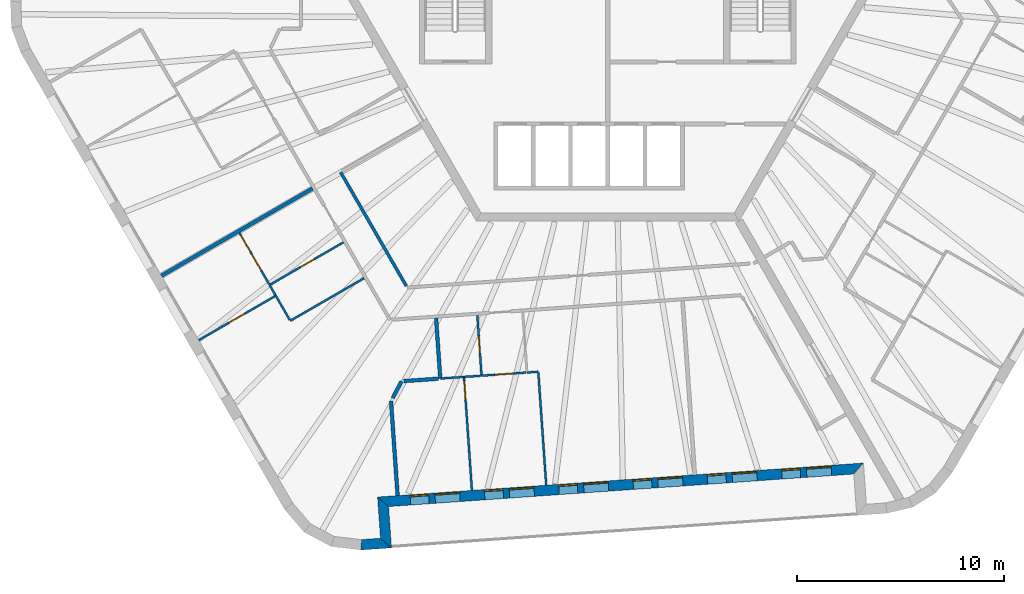
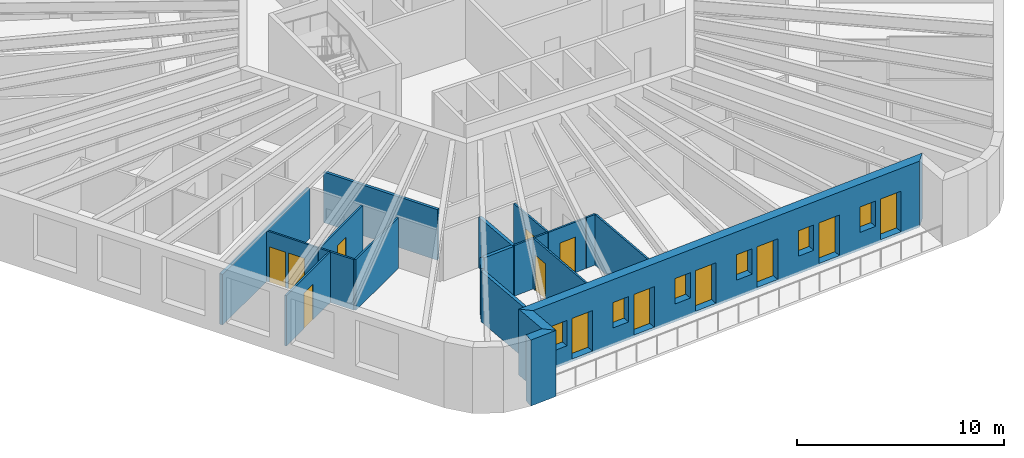
# One storey, part 3 of 12: 22 walls, 13 doors, 6 windows, 19 openings.
"""IFC4 building model written with IfcOpenShell, lengths in metres."""

from ifc_helpers import new_model, si_unit, direction, frame, frame_2d, origin, place, context, subcontext, project, spatial, polyline, rectangle, outline, extrude, material, layer, layer_set, type_object, element, fill, save


model = new_model("IFC4")

# Units and contexts
model_context = context("Model", 3, precision=1e-05, world=origin(), true_north=direction((0.0, 1.0)))
body_context = subcontext(model_context, "Body", "Model", "MODEL_VIEW")
ifc_project = project(units=[si_unit("LENGTHUNIT", "METRE"), si_unit("AREAUNIT", "SQUARE_METRE"), si_unit("VOLUMEUNIT", "CUBIC_METRE"), si_unit("PLANEANGLEUNIT", "RADIAN"), si_unit("MASSUNIT", "GRAM", prefix="KILO")], contexts=[model_context])

# Site, building, storey
site_placement = place(None, origin())
site = spatial("IfcSite", under=ifc_project, at=site_placement, CompositionType="ELEMENT")
building_placement = place(site_placement, origin())
building = spatial("IfcBuilding", under=site, at=building_placement, Name="Tarnside Tower", CompositionType="ELEMENT")
storey_placement = place(building_placement, frame((0.0, 0.0, 295.199951171875)))
storey = spatial("IfcBuildingStorey", under=building, at=storey_placement, Name="L71", CompositionType="ELEMENT", Elevation=295.199951171875)

# Walls
ifc_material_1 = material(Name="Gypsum board partition on steel studs", Category="steel")
ifc_layer_1 = layer(ifc_material_1, 0.10009765625)
ifc_layer_set_1 = layer_set([ifc_layer_1], Name="Bathroom wall 100")
wall_type_1 = type_object("IfcWallType", Name="Bathroom wall 100", PredefinedType="PARTITIONING", material=ifc_layer_set_1)
wall_1_placement = place(storey_placement, frame((-11.77490234375, -13.755126953125, 0.0), z_axis=(0.0, 0.0, 1.0), x_axis=(-0.866034795751, -0.499983732284, 0.0)))
element("IfcWall", 1, at=wall_1_placement, inside=storey, type_object=wall_type_1, Name="Bathroom wall 23120", PredefinedType="PARTITIONING", context=body_context, shape_type="SweptSolid", body=[
    extrude(rectangle(XDim=4.125244140625, YDim=0.10009765625, at=frame_2d((2.0625, 0.0))), origin(), (0.0, 0.0, 1.0), 2.98779296875),
])
wall_2_placement = place(storey_placement, frame((-15.372314453125, -15.7744140625, 0.0), z_axis=(0.0, 0.0, 1.0), x_axis=(-0.500003806764, 0.866023205937, 0.0)))
element("IfcWall", 2, at=wall_2_placement, inside=storey, type_object=wall_type_1, Name="Bathroom wall 23121", PredefinedType="PARTITIONING", context=body_context, shape_type="SweptSolid", body=[
    extrude(rectangle(XDim=1.35205078125, YDim=0.10009765625, at=frame_2d((0.676025390625, 0.0))), origin(), (0.0, 0.0, 1.0), 2.98779296875),
])

# Wall, opening, door
wall_3_placement = place(storey_placement, frame((-16.347412109375, -14.08544921875, 0.0), z_axis=(0.0, 0.0, 1.0), x_axis=(0.866034795751, 0.499983732284, 0.0)))
wall_3 = element("IfcWall", 3, at=wall_3_placement, inside=storey, type_object=wall_type_1, Name="Bathroom wall 23127", PredefinedType="PARTITIONING", context=body_context, shape_type="SweptSolid", body=[
    extrude(rectangle(XDim=4.125244140625, YDim=0.10009765625, at=frame_2d((2.0625, 0.0))), origin(), (0.0, 0.0, 1.0), 2.98779296875),
])
opening_1_placement = place(wall_3_placement, frame((1.699951171875, 0.0, 0.0)))
opening_1 = element("IfcOpeningElement", 4, at=opening_1_placement, cuts=wall_3, Name="Opening D-B1", PredefinedType="OPENING", context=body_context, shape_type="SweptSolid", body=[
    extrude(rectangle(XDim=0.800048828125, YDim=2.10009765625, at=frame_2d((0.39990234375, 1.050048828125))), frame((0.0, 0.06005859375, 0.0), z_axis=(0.0, -1.0, 0.0), x_axis=(1.0, 0.0, 0.0)), (0.0, 0.0, 1.0), 0.1201171875),
])
ifc_material_2 = material(Name="Timber door leaf", Category="wood")
door_type_1 = type_object("IfcDoorType", Name="Bathroom door 800", OperationType="NOTDEFINED", PredefinedType="DOOR", material=ifc_material_2)
door_1_placement = place(opening_1_placement, origin())
door_1 = element("IfcDoor", 5, at=door_1_placement, inside=storey, type_object=door_type_1, Name="Bathroom door 23027", OperationType="SINGLE_SWING_LEFT", OverallHeight=2.10009765625, OverallWidth=0.800048828125, PredefinedType="DOOR", context=body_context, shape_type="SweptSolid", body=[
    extrude(rectangle(XDim=0.800048828125, YDim=2.10009765625, at=frame_2d((0.39990234375, 1.050048828125))), frame((0.0, 0.02490234375, 0.0), z_axis=(0.0, -1.0, 0.0), x_axis=(1.0, 0.0, 0.0)), (0.0, 0.0, 1.0), 0.050048828125),
])
fill(opening_1, door_1)

# Wall
wall_4_placement = place(storey_placement, frame((-16.348388671875, -14.083740234375, 0.0), z_axis=(0.0, 0.0, 1.0), x_axis=(0.499933044277, -0.866064057238, 0.0)))
element("IfcWall", 6, at=wall_4_placement, inside=storey, type_object=wall_type_1, Name="Bathroom wall 23129", PredefinedType="PARTITIONING", context=body_context, shape_type="SweptSolid", body=[
    extrude(rectangle(XDim=0.60205078125, YDim=0.10009765625, at=frame_2d((0.301025390625, 0.0))), origin(), (0.0, 0.0, 1.0), 2.98779296875),
])

# Wall, opening, door
wall_5_placement = place(storey_placement, frame((-6.303466796875, -15.552490234375, 0.0), z_axis=(0.0, 0.0, 1.0), x_axis=(0.069775971057, -0.997562686683, 0.0)))
wall_5 = element("IfcWall", 7, at=wall_5_placement, inside=storey, type_object=wall_type_1, Name="Bathroom wall 23134", PredefinedType="PARTITIONING", context=body_context, shape_type="SweptSolid", body=[
    extrude(rectangle(XDim=2.925048828125, YDim=0.10009765625, at=frame_2d((1.46240234375, 0.0))), origin(), (0.0, 0.0, 1.0), 2.98779296875),
])
opening_2_placement = place(wall_5_placement, frame((1.02490234375, 0.0, 0.0)))
opening_2 = element("IfcOpeningElement", 8, at=opening_2_placement, cuts=wall_5, Name="Opening D-B1", PredefinedType="OPENING", context=body_context, shape_type="SweptSolid", body=[
    extrude(rectangle(XDim=0.800048828125, YDim=2.10009765625, at=frame_2d((0.39990234375, 1.050048828125))), frame((0.0, 0.06005859375, 0.0), z_axis=(0.0, -1.0, 0.0), x_axis=(1.0, 0.0, 0.0)), (0.0, 0.0, 1.0), 0.1201171875),
])
door_2_placement = place(opening_2_placement, origin())
door_2 = element("IfcDoor", 9, at=door_2_placement, inside=storey, type_object=door_type_1, Name="Bathroom door 23032", OperationType="SINGLE_SWING_RIGHT", OverallHeight=2.10009765625, OverallWidth=0.800048828125, PredefinedType="DOOR", context=body_context, shape_type="SweptSolid", body=[
    extrude(rectangle(XDim=0.800048828125, YDim=2.10009765625, at=frame_2d((0.39990234375, 1.050048828125))), frame((0.0, 0.02490234375, 0.0), z_axis=(0.0, -1.0, 0.0), x_axis=(1.0, 0.0, 0.0)), (0.0, 0.0, 1.0), 0.050048828125),
])
fill(opening_2, door_2)

# Walls
wall_6_placement = place(storey_placement, frame((-8.0966796875, -18.610107421875, 0.0), z_axis=(0.0, 0.0, 1.0), x_axis=(0.99756000175, 0.069814346006, 0.0)))
element("IfcWall", 10, at=wall_6_placement, inside=storey, type_object=wall_type_1, Name="Bathroom wall 23136", PredefinedType="PARTITIONING", context=body_context, shape_type="SweptSolid", body=[
    extrude(rectangle(XDim=1.150390625, YDim=0.10009765625, at=frame_2d((0.5751953125, 0.0))), origin(), (0.0, 0.0, 1.0), 2.98779296875),
])
wall_7_placement = place(storey_placement, frame((-6.948974609375, -18.52978515625, 0.0), z_axis=(0.0, 0.0, 1.0), x_axis=(0.997577552604, 0.06956311192, 0.0)))
element("IfcWall", 11, at=wall_7_placement, inside=storey, type_object=wall_type_1, Name="Bathroom wall 23137", PredefinedType="PARTITIONING", context=body_context, shape_type="SweptSolid", body=[
    extrude(rectangle(XDim=0.8037109375, YDim=0.10009765625, at=frame_2d((0.40185546875, 0.0))), origin(), (0.0, 0.0, 1.0), 2.98779296875),
])
ifc_layer_2 = layer(ifc_material_1, 0.14990234375)
ifc_layer_set_2 = layer_set([ifc_layer_2], Name="Corridor wall 150 EI 60")
wall_type_2 = type_object("IfcWallType", Name="Corridor wall 150 EI 60", PredefinedType="PARTITIONING", material=ifc_layer_set_2)
wall_8_placement = place(storey_placement, frame((-9.73486328125, -14.138427734375, 0.0), z_axis=(0.0, 0.0, 1.0), x_axis=(-0.500018385592, 0.866014788598, 0.0)))
element("IfcWall", 12, at=wall_8_placement, inside=storey, type_object=wall_type_2, Name="Corridor wall 23051", PredefinedType="PARTITIONING", context=body_context, shape_type="SweptSolid", body=[
    extrude(rectangle(XDim=6.355712890625, YDim=0.14990234375, at=frame_2d((3.177734375, 0.0))), origin(), (0.0, 0.0, 1.0), 2.98779296875),
])
ifc_layer_3 = layer(ifc_material_1, 0.179931640625)
ifc_layer_set_3 = layer_set([ifc_layer_3], Name="Demising wall 180 EI 60")
wall_type_3 = type_object("IfcWallType", Name="Demising wall 180 EI 60", PredefinedType="PARTITIONING", material=ifc_layer_set_3)
wall_9_placement = place(storey_placement, frame((-21.5712890625, -13.637451171875, 0.0), z_axis=(0.0, 0.0, 1.0), x_axis=(0.866034063461, 0.499985000701, 0.0)))
element("IfcWall", 13, at=wall_9_placement, inside=storey, type_object=wall_type_3, Name="Demising wall 23116", PredefinedType="PARTITIONING", context=body_context, shape_type="SweptSolid", body=[
    extrude(rectangle(XDim=8.425048828125, YDim=0.179931640625, at=frame_2d((4.21240234375, 0.0))), origin(), (0.0, 0.0, 1.0), 2.98779296875),
])
wall_10_placement = place(storey_placement, frame((-8.094482421875, -18.60986328125, 0.0), z_axis=(0.0, 0.0, 1.0), x_axis=(-0.069781781132, 0.997562280272, 0.0)))
element("IfcWall", 14, at=wall_10_placement, inside=storey, type_object=wall_type_3, Name="Demising wall 23123", PredefinedType="PARTITIONING", context=body_context, shape_type="SweptSolid", body=[
    extrude(rectangle(XDim=2.9248046875, YDim=0.179931640625, at=frame_2d((1.46240234375, 0.0))), origin(), (0.0, 0.0, 1.0), 2.98779296875),
])
wall_11_placement = place(storey_placement, frame((-10.15673828125, -24.267578125, 0.0), z_axis=(0.0, 0.0, 1.0), x_axis=(-0.069722955951, 0.997566393486, 0.0)))
element("IfcWall", 15, at=wall_11_placement, inside=storey, type_object=wall_type_3, Name="Demising wall 23124", PredefinedType="PARTITIONING", context=body_context, shape_type="SweptSolid", body=[
    extrude(rectangle(XDim=4.57666015625, YDim=0.179931640625, at=frame_2d((2.288330078125, 0.0))), origin(), (0.0, 0.0, 1.0), 2.98779296875),
])
wall_12_placement = place(storey_placement, frame((-10.396240234375, -19.55224609375, 0.0), z_axis=(0.0, 0.0, 1.0), x_axis=(0.469595353143, 0.882881761226, 0.0)))
element("IfcWall", 16, at=wall_12_placement, inside=storey, type_object=wall_type_3, Name="Demising wall 23125", PredefinedType="PARTITIONING", context=body_context, shape_type="SweptSolid", body=[
    extrude(rectangle(XDim=0.919189453125, YDim=0.179931640625, at=frame_2d((0.45947265625, 0.0))), origin(), (0.0, 0.0, 1.0), 2.98779296875),
])
wall_13_placement = place(storey_placement, frame((-9.858642578125, -18.7333984375, 0.0), z_axis=(0.0, 0.0, 1.0), x_axis=(0.997559371599, 0.069823349496, 0.0)))
element("IfcWall", 17, at=wall_13_placement, inside=storey, type_object=wall_type_3, Name="Demising wall 23126", PredefinedType="PARTITIONING", context=body_context, shape_type="SweptSolid", body=[
    extrude(rectangle(XDim=1.681884765625, YDim=0.179931640625, at=frame_2d((0.8408203125, 0.0))), origin(), (0.0, 0.0, 1.0), 2.98779296875),
])
ifc_material_3 = material(Name="Dark zinc cladding")
ifc_layer_4 = layer(ifc_material_3, 0.10205078125)
ifc_material_4 = material(Name="Concrete C60/75 precast", Category="concrete")
ifc_layer_5 = layer(ifc_material_4, 0.298095703125)
ifc_material_5 = material(Name="Mineral wool insulation")
ifc_layer_6 = layer(ifc_material_5, 0.10009765625)
ifc_layer_set_4 = layer_set([ifc_layer_4, ifc_layer_5, ifc_layer_6], Name="Loggia wall 500 zinc faced")
wall_type_4 = type_object("IfcWallType", Name="Loggia wall 500 zinc faced", PredefinedType="SOLIDWALL", material=ifc_layer_set_4)
wall_14_placement = place(storey_placement, frame((-11.91748046875, -26.646240234375, -0.14990234375), z_axis=(0.0, 0.0, 1.0), x_axis=(0.997562933087, 0.069772448216, 0.0)))
element("IfcWall", 18, at=wall_14_placement, inside=storey, type_object=wall_type_4, Name="Tube wall L71 F4 stub 16", PredefinedType="SOLIDWALL", context=body_context, shape_type="SweptSolid", body=[
    extrude(outline(polyline([(-0.0234375, -0.25), (1.4501953125, -0.25), (0.9501953125, 0.25), (0.0234375, 0.25), (-0.0234375, -0.25)])), origin(), (0.0, 0.0, 1.0), 3.89990234375),
])
wall_15_placement = place(storey_placement, frame((-10.72021484375, -26.5625, -0.14990234375), z_axis=(0.0, 0.0, 1.0), x_axis=(-0.069824268692, 0.99755930726, 0.0)))
element("IfcWall", 19, at=wall_15_placement, inside=storey, type_object=wall_type_4, Name="Tube wall L71 F4 return 17", PredefinedType="SOLIDWALL", context=body_context, shape_type="SweptSolid", body=[
    extrude(outline(polyline([(-0.25, -0.25), (1.75, -0.25), (2.25, 0.25), (0.25, 0.25), (-0.25, -0.25)])), origin(), (0.0, 0.0, 1.0), 3.89990234375),
])

# Wall, openings, doors, windows
wall_16_placement = place(storey_placement, frame((-10.85986328125, -24.5673828125, -0.14990234375), z_axis=(0.0, 0.0, 1.0), x_axis=(0.997564329317, 0.06975248292, 0.0)))
wall_16 = element("IfcWall", 20, at=wall_16_placement, inside=storey, type_object=wall_type_4, Name="Tube wall L71 F4 back 18", PredefinedType="SOLIDWALL", context=body_context, shape_type="SweptSolid", body=[
    extrude(outline(polyline([(0.25, -0.25), (22.794677734375, -0.25), (23.294677734375, 0.25), (-0.25, 0.25), (0.25, -0.25)])), origin(), (0.0, 0.0, 1.0), 3.89990234375),
])
opening_3_placement = place(wall_16_placement, frame((1.322509765625, 0.0, 1.050048828125)))
opening_3 = element("IfcOpeningElement", 21, at=opening_3_placement, cuts=wall_16, Name="Opening WL500", PredefinedType="OPENING", context=body_context, shape_type="SweptSolid", body=[
    extrude(rectangle(XDim=0.89990234375, YDim=1.5, at=frame_2d((0.449951171875, 0.75))), frame((0.0, 0.260009765625, 0.0), z_axis=(0.0, -1.0, 0.0), x_axis=(1.0, 0.0, 0.0)), (0.0, 0.0, 1.0), 0.52001953125),
])
opening_4_placement = place(wall_16_placement, frame((2.5224609375, 0.0, 0.14990234375)))
opening_4 = element("IfcOpeningElement", 22, at=opening_4_placement, cuts=wall_16, Name="Opening DB500", PredefinedType="OPENING", context=body_context, shape_type="SweptSolid", body=[
    extrude(rectangle(XDim=1.199951171875, YDim=2.39990234375, at=frame_2d((0.60009765625, 1.199951171875))), frame((0.0, 0.260009765625, 0.0), z_axis=(0.0, -1.0, 0.0), x_axis=(1.0, 0.0, 0.0)), (0.0, 0.0, 1.0), 0.52001953125),
])
opening_5_placement = place(wall_16_placement, frame((4.92236328125, 0.0, 1.050048828125)))
opening_5 = element("IfcOpeningElement", 23, at=opening_5_placement, cuts=wall_16, Name="Opening WL500", PredefinedType="OPENING", context=body_context, shape_type="SweptSolid", body=[
    extrude(rectangle(XDim=0.89990234375, YDim=1.5, at=frame_2d((0.449951171875, 0.75))), frame((0.0, 0.260009765625, 0.0), z_axis=(0.0, -1.0, 0.0), x_axis=(1.0, 0.0, 0.0)), (0.0, 0.0, 1.0), 0.52001953125),
])
opening_6_placement = place(wall_16_placement, frame((6.122314453125, 0.0, 0.14990234375)))
opening_6 = element("IfcOpeningElement", 24, at=opening_6_placement, cuts=wall_16, Name="Opening DB500", PredefinedType="OPENING", context=body_context, shape_type="SweptSolid", body=[
    extrude(rectangle(XDim=1.199951171875, YDim=2.39990234375, at=frame_2d((0.60009765625, 1.199951171875))), frame((0.0, 0.260009765625, 0.0), z_axis=(0.0, -1.0, 0.0), x_axis=(1.0, 0.0, 0.0)), (0.0, 0.0, 1.0), 0.52001953125),
])
opening_7_placement = place(wall_16_placement, frame((8.5224609375, 0.0, 1.050048828125)))
opening_7 = element("IfcOpeningElement", 25, at=opening_7_placement, cuts=wall_16, Name="Opening WL500", PredefinedType="OPENING", context=body_context, shape_type="SweptSolid", body=[
    extrude(rectangle(XDim=0.89990234375, YDim=1.5, at=frame_2d((0.449951171875, 0.75))), frame((0.0, 0.260009765625, 0.0), z_axis=(0.0, -1.0, 0.0), x_axis=(1.0, 0.0, 0.0)), (0.0, 0.0, 1.0), 0.52001953125),
])
opening_8_placement = place(wall_16_placement, frame((9.722412109375, 0.0, 0.14990234375)))
opening_8 = element("IfcOpeningElement", 26, at=opening_8_placement, cuts=wall_16, Name="Opening DB500", PredefinedType="OPENING", context=body_context, shape_type="SweptSolid", body=[
    extrude(rectangle(XDim=1.199951171875, YDim=2.39990234375, at=frame_2d((0.60009765625, 1.199951171875))), frame((0.0, 0.260009765625, 0.0), z_axis=(0.0, -1.0, 0.0), x_axis=(1.0, 0.0, 0.0)), (0.0, 0.0, 1.0), 0.52001953125),
])
opening_9_placement = place(wall_16_placement, frame((12.122314453125, 0.0, 1.050048828125)))
opening_9 = element("IfcOpeningElement", 27, at=opening_9_placement, cuts=wall_16, Name="Opening WL500", PredefinedType="OPENING", context=body_context, shape_type="SweptSolid", body=[
    extrude(rectangle(XDim=0.89990234375, YDim=1.5, at=frame_2d((0.449951171875, 0.75))), frame((0.0, 0.260009765625, 0.0), z_axis=(0.0, -1.0, 0.0), x_axis=(1.0, 0.0, 0.0)), (0.0, 0.0, 1.0), 0.52001953125),
])
opening_10_placement = place(wall_16_placement, frame((13.322509765625, 0.0, 0.14990234375)))
opening_10 = element("IfcOpeningElement", 28, at=opening_10_placement, cuts=wall_16, Name="Opening DB500", PredefinedType="OPENING", context=body_context, shape_type="SweptSolid", body=[
    extrude(rectangle(XDim=1.199951171875, YDim=2.39990234375, at=frame_2d((0.60009765625, 1.199951171875))), frame((0.0, 0.260009765625, 0.0), z_axis=(0.0, -1.0, 0.0), x_axis=(1.0, 0.0, 0.0)), (0.0, 0.0, 1.0), 0.52001953125),
])
opening_11_placement = place(wall_16_placement, frame((15.722412109375, 0.0, 1.050048828125)))
opening_11 = element("IfcOpeningElement", 29, at=opening_11_placement, cuts=wall_16, Name="Opening WL500", PredefinedType="OPENING", context=body_context, shape_type="SweptSolid", body=[
    extrude(rectangle(XDim=0.89990234375, YDim=1.5, at=frame_2d((0.449951171875, 0.75))), frame((0.0, 0.260009765625, 0.0), z_axis=(0.0, -1.0, 0.0), x_axis=(1.0, 0.0, 0.0)), (0.0, 0.0, 1.0), 0.52001953125),
])
opening_12_placement = place(wall_16_placement, frame((16.92236328125, 0.0, 0.14990234375)))
opening_12 = element("IfcOpeningElement", 30, at=opening_12_placement, cuts=wall_16, Name="Opening DB500", PredefinedType="OPENING", context=body_context, shape_type="SweptSolid", body=[
    extrude(rectangle(XDim=1.199951171875, YDim=2.39990234375, at=frame_2d((0.60009765625, 1.199951171875))), frame((0.0, 0.260009765625, 0.0), z_axis=(0.0, -1.0, 0.0), x_axis=(1.0, 0.0, 0.0)), (0.0, 0.0, 1.0), 0.52001953125),
])
opening_13_placement = place(wall_16_placement, frame((19.322509765625, 0.0, 1.050048828125)))
opening_13 = element("IfcOpeningElement", 31, at=opening_13_placement, cuts=wall_16, Name="Opening WL500", PredefinedType="OPENING", context=body_context, shape_type="SweptSolid", body=[
    extrude(rectangle(XDim=0.89990234375, YDim=1.5, at=frame_2d((0.449951171875, 0.75))), frame((0.0, 0.260009765625, 0.0), z_axis=(0.0, -1.0, 0.0), x_axis=(1.0, 0.0, 0.0)), (0.0, 0.0, 1.0), 0.52001953125),
])
opening_14_placement = place(wall_16_placement, frame((20.5224609375, 0.0, 0.14990234375)))
opening_14 = element("IfcOpeningElement", 32, at=opening_14_placement, cuts=wall_16, Name="Opening DB500", PredefinedType="OPENING", context=body_context, shape_type="SweptSolid", body=[
    extrude(rectangle(XDim=1.199951171875, YDim=2.39990234375, at=frame_2d((0.60009765625, 1.199951171875))), frame((0.0, 0.260009765625, 0.0), z_axis=(0.0, -1.0, 0.0), x_axis=(1.0, 0.0, 0.0)), (0.0, 0.0, 1.0), 0.52001953125),
])
ifc_material_6 = material(Name="Aluminium-framed double glazing", Category="aluminium")
door_type_2 = type_object("IfcDoorType", Name="Balcony sliding door 1200 x 2400 in 500 wall", OperationType="SLIDING_TO_LEFT", PredefinedType="DOOR", material=ifc_material_6)
door_3_placement = place(opening_4_placement, frame((0.0, 0.1748046875, 0.0)))
door_3 = element("IfcDoor", 33, at=door_3_placement, inside=storey, type_object=door_type_2, Name="E.BD.L71.F4.00", OperationType="SLIDING_TO_LEFT", OverallHeight=2.39990234375, OverallWidth=1.199951171875, PredefinedType="DOOR", context=body_context, shape_type="SweptSolid", body=[
    extrude(rectangle(XDim=1.199951171875, YDim=2.39990234375, at=frame_2d((0.60009765625, 1.199951171875))), frame((0.0, 0.02490234375, 0.0), z_axis=(0.0, -1.0, 0.0), x_axis=(1.0, 0.0, 0.0)), (0.0, 0.0, 1.0), 0.050048828125),
])
fill(opening_4, door_3)
door_4_placement = place(opening_6_placement, frame((0.0, 0.1748046875, 0.0)))
door_4 = element("IfcDoor", 34, at=door_4_placement, inside=storey, type_object=door_type_2, Name="E.BD.L71.F4.01", OperationType="SLIDING_TO_LEFT", OverallHeight=2.39990234375, OverallWidth=1.199951171875, PredefinedType="DOOR", context=body_context, shape_type="SweptSolid", body=[
    extrude(rectangle(XDim=1.199951171875, YDim=2.39990234375, at=frame_2d((0.60009765625, 1.199951171875))), frame((0.0, 0.02490234375, 0.0), z_axis=(0.0, -1.0, 0.0), x_axis=(1.0, 0.0, 0.0)), (0.0, 0.0, 1.0), 0.050048828125),
])
fill(opening_6, door_4)
door_5_placement = place(opening_8_placement, frame((0.0, 0.1748046875, 0.0)))
door_5 = element("IfcDoor", 35, at=door_5_placement, inside=storey, type_object=door_type_2, Name="E.BD.L71.F4.02", OperationType="SLIDING_TO_LEFT", OverallHeight=2.39990234375, OverallWidth=1.199951171875, PredefinedType="DOOR", context=body_context, shape_type="SweptSolid", body=[
    extrude(rectangle(XDim=1.199951171875, YDim=2.39990234375, at=frame_2d((0.60009765625, 1.199951171875))), frame((0.0, 0.02490234375, 0.0), z_axis=(0.0, -1.0, 0.0), x_axis=(1.0, 0.0, 0.0)), (0.0, 0.0, 1.0), 0.050048828125),
])
fill(opening_8, door_5)
door_6_placement = place(opening_10_placement, frame((0.0, 0.1748046875, 0.0)))
door_6 = element("IfcDoor", 36, at=door_6_placement, inside=storey, type_object=door_type_2, Name="E.BD.L71.F4.03", OperationType="SLIDING_TO_LEFT", OverallHeight=2.39990234375, OverallWidth=1.199951171875, PredefinedType="DOOR", context=body_context, shape_type="SweptSolid", body=[
    extrude(rectangle(XDim=1.199951171875, YDim=2.39990234375, at=frame_2d((0.60009765625, 1.199951171875))), frame((0.0, 0.02490234375, 0.0), z_axis=(0.0, -1.0, 0.0), x_axis=(1.0, 0.0, 0.0)), (0.0, 0.0, 1.0), 0.050048828125),
])
fill(opening_10, door_6)
door_7_placement = place(opening_12_placement, frame((0.0, 0.1748046875, 0.0)))
door_7 = element("IfcDoor", 37, at=door_7_placement, inside=storey, type_object=door_type_2, Name="E.BD.L71.F4.04", OperationType="SLIDING_TO_LEFT", OverallHeight=2.39990234375, OverallWidth=1.199951171875, PredefinedType="DOOR", context=body_context, shape_type="SweptSolid", body=[
    extrude(rectangle(XDim=1.199951171875, YDim=2.39990234375, at=frame_2d((0.60009765625, 1.199951171875))), frame((0.0, 0.02490234375, 0.0), z_axis=(0.0, -1.0, 0.0), x_axis=(1.0, 0.0, 0.0)), (0.0, 0.0, 1.0), 0.050048828125),
])
fill(opening_12, door_7)
door_8_placement = place(opening_14_placement, frame((0.0, 0.1748046875, 0.0)))
door_8 = element("IfcDoor", 38, at=door_8_placement, inside=storey, type_object=door_type_2, Name="E.BD.L71.F4.05", OperationType="SLIDING_TO_LEFT", OverallHeight=2.39990234375, OverallWidth=1.199951171875, PredefinedType="DOOR", context=body_context, shape_type="SweptSolid", body=[
    extrude(rectangle(XDim=1.199951171875, YDim=2.39990234375, at=frame_2d((0.60009765625, 1.199951171875))), frame((0.0, 0.02490234375, 0.0), z_axis=(0.0, -1.0, 0.0), x_axis=(1.0, 0.0, 0.0)), (0.0, 0.0, 1.0), 0.050048828125),
])
fill(opening_14, door_8)
window_type = type_object("IfcWindowType", Name="Loggia window 900 x 1500 in 500 wall", PartitioningType="SINGLE_PANEL", PredefinedType="WINDOW", material=ifc_material_6)
window_1_placement = place(opening_3_placement, frame((0.0, 0.179931640625, 0.0)))
window_1 = element("IfcWindow", 39, at=window_1_placement, inside=storey, type_object=window_type, Name="E.LW.L71.F4.00", OverallHeight=1.5, OverallWidth=0.89990234375, PartitioningType="SINGLE_PANEL", PredefinedType="WINDOW", context=body_context, shape_type="SweptSolid", body=[
    extrude(rectangle(XDim=0.89990234375, YDim=1.5, at=frame_2d((0.449951171875, 0.75))), frame((0.0, 0.030029296875, 0.0), z_axis=(0.0, -1.0, 0.0), x_axis=(1.0, 0.0, 0.0)), (0.0, 0.0, 1.0), 0.06005859375),
])
fill(opening_3, window_1)
window_2_placement = place(opening_5_placement, frame((0.0, 0.179931640625, 0.0)))
window_2 = element("IfcWindow", 40, at=window_2_placement, inside=storey, type_object=window_type, Name="E.LW.L71.F4.01", OverallHeight=1.5, OverallWidth=0.89990234375, PartitioningType="SINGLE_PANEL", PredefinedType="WINDOW", context=body_context, shape_type="SweptSolid", body=[
    extrude(rectangle(XDim=0.89990234375, YDim=1.5, at=frame_2d((0.449951171875, 0.75))), frame((0.0, 0.030029296875, 0.0), z_axis=(0.0, -1.0, 0.0), x_axis=(1.0, 0.0, 0.0)), (0.0, 0.0, 1.0), 0.06005859375),
])
fill(opening_5, window_2)
window_3_placement = place(opening_7_placement, frame((0.0, 0.179931640625, 0.0)))
window_3 = element("IfcWindow", 41, at=window_3_placement, inside=storey, type_object=window_type, Name="E.LW.L71.F4.02", OverallHeight=1.5, OverallWidth=0.89990234375, PartitioningType="SINGLE_PANEL", PredefinedType="WINDOW", context=body_context, shape_type="SweptSolid", body=[
    extrude(rectangle(XDim=0.89990234375, YDim=1.5, at=frame_2d((0.449951171875, 0.75))), frame((0.0, 0.030029296875, 0.0), z_axis=(0.0, -1.0, 0.0), x_axis=(1.0, 0.0, 0.0)), (0.0, 0.0, 1.0), 0.06005859375),
])
fill(opening_7, window_3)
window_4_placement = place(opening_9_placement, frame((0.0, 0.179931640625, 0.0)))
window_4 = element("IfcWindow", 42, at=window_4_placement, inside=storey, type_object=window_type, Name="E.LW.L71.F4.03", OverallHeight=1.5, OverallWidth=0.89990234375, PartitioningType="SINGLE_PANEL", PredefinedType="WINDOW", context=body_context, shape_type="SweptSolid", body=[
    extrude(rectangle(XDim=0.89990234375, YDim=1.5, at=frame_2d((0.449951171875, 0.75))), frame((0.0, 0.030029296875, 0.0), z_axis=(0.0, -1.0, 0.0), x_axis=(1.0, 0.0, 0.0)), (0.0, 0.0, 1.0), 0.06005859375),
])
fill(opening_9, window_4)
window_5_placement = place(opening_11_placement, frame((0.0, 0.179931640625, 0.0)))
window_5 = element("IfcWindow", 43, at=window_5_placement, inside=storey, type_object=window_type, Name="E.LW.L71.F4.04", OverallHeight=1.5, OverallWidth=0.89990234375, PartitioningType="SINGLE_PANEL", PredefinedType="WINDOW", context=body_context, shape_type="SweptSolid", body=[
    extrude(rectangle(XDim=0.89990234375, YDim=1.5, at=frame_2d((0.449951171875, 0.75))), frame((0.0, 0.030029296875, 0.0), z_axis=(0.0, -1.0, 0.0), x_axis=(1.0, 0.0, 0.0)), (0.0, 0.0, 1.0), 0.06005859375),
])
fill(opening_11, window_5)
window_6_placement = place(opening_13_placement, frame((0.0, 0.179931640625, 0.0)))
window_6 = element("IfcWindow", 44, at=window_6_placement, inside=storey, type_object=window_type, Name="E.LW.L71.F4.05", OverallHeight=1.5, OverallWidth=0.89990234375, PartitioningType="SINGLE_PANEL", PredefinedType="WINDOW", context=body_context, shape_type="SweptSolid", body=[
    extrude(rectangle(XDim=0.89990234375, YDim=1.5, at=frame_2d((0.449951171875, 0.75))), frame((0.0, 0.030029296875, 0.0), z_axis=(0.0, -1.0, 0.0), x_axis=(1.0, 0.0, 0.0)), (0.0, 0.0, 1.0), 0.06005859375),
])
fill(opening_13, window_6)

# Wall, opening, door
ifc_layer_7 = layer(ifc_material_1, 0.10009765625)
ifc_layer_set_5 = layer_set([ifc_layer_7], Name="Partition 100")
wall_type_5 = type_object("IfcWallType", Name="Partition 100", PredefinedType="PARTITIONING", material=ifc_layer_set_5)
wall_17_placement = place(storey_placement, frame((-16.090576171875, -14.630126953125, 0.0), z_axis=(0.0, 0.0, 1.0), x_axis=(-0.866028703517, -0.499994284652, 0.0)))
wall_17 = element("IfcWall", 45, at=wall_17_placement, inside=storey, type_object=wall_type_5, Name="Partition wall 23122", PredefinedType="PARTITIONING", context=body_context, shape_type="SweptSolid", body=[
    extrude(rectangle(XDim=4.25, YDim=0.10009765625, at=frame_2d((2.125, 0.0))), origin(), (0.0, 0.0, 1.0), 2.98779296875),
])
opening_15_placement = place(wall_17_placement, frame((1.675048828125, 0.0, 0.0)))
opening_15 = element("IfcOpeningElement", 46, at=opening_15_placement, cuts=wall_17, Name="Opening D-I1", PredefinedType="OPENING", context=body_context, shape_type="SweptSolid", body=[
    extrude(rectangle(XDim=0.89990234375, YDim=2.10009765625, at=frame_2d((0.449951171875, 1.050048828125))), frame((0.0, 0.06005859375, 0.0), z_axis=(0.0, -1.0, 0.0), x_axis=(1.0, 0.0, 0.0)), (0.0, 0.0, 1.0), 0.1201171875),
])
door_type_3 = type_object("IfcDoorType", Name="Internal door 900", OperationType="NOTDEFINED", PredefinedType="DOOR", material=ifc_material_2)
door_9_placement = place(opening_15_placement, origin())
door_9 = element("IfcDoor", 47, at=door_9_placement, inside=storey, type_object=door_type_3, Name="Internal door 23056", OperationType="SINGLE_SWING_LEFT", OverallHeight=2.10009765625, OverallWidth=0.89990234375, PredefinedType="DOOR", context=body_context, shape_type="SweptSolid", body=[
    extrude(rectangle(XDim=0.89990234375, YDim=2.10009765625, at=frame_2d((0.449951171875, 1.050048828125))), frame((0.0, 0.02490234375, 0.0), z_axis=(0.0, -1.0, 0.0), x_axis=(1.0, 0.0, 0.0)), (0.0, 0.0, 1.0), 0.050048828125),
])
fill(opening_15, door_9)

# Wall, openings, doors
wall_18_placement = place(storey_placement, frame((-17.80224609375, -11.5654296875, 0.0), z_axis=(0.0, 0.0, 1.0), x_axis=(0.499983369373, -0.866035005268, 0.0)))
wall_18 = element("IfcWall", 48, at=wall_18_placement, inside=storey, type_object=wall_type_5, Name="Partition wall 23128", PredefinedType="PARTITIONING", context=body_context, shape_type="SweptSolid", body=[
    extrude(rectangle(XDim=2.86181640625, YDim=0.10009765625, at=frame_2d((1.430908203125, 0.0))), origin(), (0.0, 0.0, 1.0), 2.98779296875),
])
opening_16_placement = place(wall_18_placement, frame((0.14990234375, 0.0, 0.0)))
opening_16 = element("IfcOpeningElement", 49, at=opening_16_placement, cuts=wall_18, Name="Opening D-I1", PredefinedType="OPENING", context=body_context, shape_type="SweptSolid", body=[
    extrude(rectangle(XDim=0.89990234375, YDim=2.10009765625, at=frame_2d((0.449951171875, 1.050048828125))), frame((0.0, 0.06005859375, 0.0), z_axis=(0.0, -1.0, 0.0), x_axis=(1.0, 0.0, 0.0)), (0.0, 0.0, 1.0), 0.1201171875),
])
opening_17_placement = place(wall_18_placement, frame((1.2099609375, 0.0, 0.0)))
opening_17 = element("IfcOpeningElement", 50, at=opening_17_placement, cuts=wall_18, Name="Opening D-I1", PredefinedType="OPENING", context=body_context, shape_type="SweptSolid", body=[
    extrude(rectangle(XDim=0.89990234375, YDim=2.10009765625, at=frame_2d((0.449951171875, 1.050048828125))), frame((0.0, 0.06005859375, 0.0), z_axis=(0.0, -1.0, 0.0), x_axis=(1.0, 0.0, 0.0)), (0.0, 0.0, 1.0), 0.1201171875),
])
door_10_placement = place(opening_16_placement, origin())
door_10 = element("IfcDoor", 51, at=door_10_placement, inside=storey, type_object=door_type_3, Name="Internal door 23029", OperationType="SINGLE_SWING_LEFT", OverallHeight=2.10009765625, OverallWidth=0.89990234375, PredefinedType="DOOR", context=body_context, shape_type="SweptSolid", body=[
    extrude(rectangle(XDim=0.89990234375, YDim=2.10009765625, at=frame_2d((0.449951171875, 1.050048828125))), frame((0.0, 0.02490234375, 0.0), z_axis=(0.0, -1.0, 0.0), x_axis=(1.0, 0.0, 0.0)), (0.0, 0.0, 1.0), 0.050048828125),
])
fill(opening_16, door_10)
door_11_placement = place(opening_17_placement, origin())
door_11 = element("IfcDoor", 52, at=door_11_placement, inside=storey, type_object=door_type_3, Name="Internal door 23030", OperationType="SINGLE_SWING_LEFT", OverallHeight=2.10009765625, OverallWidth=0.89990234375, PredefinedType="DOOR", context=body_context, shape_type="SweptSolid", body=[
    extrude(rectangle(XDim=0.89990234375, YDim=2.10009765625, at=frame_2d((0.449951171875, 1.050048828125))), frame((0.0, 0.02490234375, 0.0), z_axis=(0.0, -1.0, 0.0), x_axis=(1.0, 0.0, 0.0)), (0.0, 0.0, 1.0), 0.050048828125),
])
fill(opening_17, door_11)

# Walls
wall_19_placement = place(storey_placement, frame((-3.90673828125, -18.317138671875, 0.0), z_axis=(0.0, 0.0, 1.0), x_axis=(0.997570082671, 0.069670152571, 0.0)))
element("IfcWall", 53, at=wall_19_placement, inside=storey, type_object=wall_type_5, Name="Partition wall 23131", PredefinedType="PARTITIONING", context=body_context, shape_type="SweptSolid", body=[
    extrude(rectangle(XDim=0.550048828125, YDim=0.10009765625, at=frame_2d((0.27490234375, 0.0))), origin(), (0.0, 0.0, 1.0), 2.98779296875),
])
wall_20_placement = place(storey_placement, frame((-3.354248046875, -18.32861328125, 0.0), z_axis=(0.0, 0.0, 1.0), x_axis=(0.069747550305, -0.997564674207, 0.0)))
element("IfcWall", 54, at=wall_20_placement, inside=storey, type_object=wall_type_5, Name="Partition wall 23132", PredefinedType="PARTITIONING", context=body_context, shape_type="SweptSolid", body=[
    extrude(rectangle(XDim=5.449951171875, YDim=0.10009765625, at=frame_2d((2.72509765625, 0.0))), origin(), (0.0, 0.0, 1.0), 2.98779296875),
])

# Wall, opening, door
wall_21_placement = place(storey_placement, frame((-6.1015625, -18.470703125, 0.0), z_axis=(0.0, 0.0, 1.0), x_axis=(0.997560072268, 0.069813338391, 0.0)))
wall_21 = element("IfcWall", 55, at=wall_21_placement, inside=storey, type_object=wall_type_5, Name="Partition wall 23135", PredefinedType="PARTITIONING", context=body_context, shape_type="SweptSolid", body=[
    extrude(rectangle(XDim=2.154296875, YDim=0.10009765625, at=frame_2d((1.0771484375, 0.0))), origin(), (0.0, 0.0, 1.0), 2.98779296875),
])
opening_18_placement = place(wall_21_placement, frame((0.652099609375, 0.0, 0.0)))
opening_18 = element("IfcOpeningElement", 56, at=opening_18_placement, cuts=wall_21, Name="Opening D-I1", PredefinedType="OPENING", context=body_context, shape_type="SweptSolid", body=[
    extrude(rectangle(XDim=0.89990234375, YDim=2.10009765625, at=frame_2d((0.449951171875, 1.050048828125))), frame((0.0, 0.06005859375, 0.0), z_axis=(0.0, -1.0, 0.0), x_axis=(1.0, 0.0, 0.0)), (0.0, 0.0, 1.0), 0.1201171875),
])
door_12_placement = place(opening_18_placement, origin())
door_12 = element("IfcDoor", 57, at=door_12_placement, inside=storey, type_object=door_type_3, Name="Internal door 23037", OperationType="SINGLE_SWING_RIGHT", OverallHeight=2.10009765625, OverallWidth=0.89990234375, PredefinedType="DOOR", context=body_context, shape_type="SweptSolid", body=[
    extrude(rectangle(XDim=0.89990234375, YDim=2.10009765625, at=frame_2d((0.449951171875, 1.050048828125))), frame((0.0, 0.02490234375, 0.0), z_axis=(0.0, -1.0, 0.0), x_axis=(1.0, 0.0, 0.0)), (0.0, 0.0, 1.0), 0.050048828125),
])
fill(opening_18, door_12)

wall_22_placement = place(storey_placement, frame((-6.5654296875, -24.0166015625, 0.0), z_axis=(0.0, 0.0, 1.0), x_axis=(-0.069747550305, 0.997564674207, 0.0)))
wall_22 = element("IfcWall", 58, at=wall_22_placement, inside=storey, type_object=wall_type_5, Name="Partition wall 23138", PredefinedType="PARTITIONING", context=body_context, shape_type="SweptSolid", body=[
    extrude(rectangle(XDim=5.449951171875, YDim=0.10009765625, at=frame_2d((2.72509765625, 0.0))), origin(), (0.0, 0.0, 1.0), 2.98779296875),
])
opening_19_placement = place(wall_22_placement, frame((4.39990234375, 0.0, 0.0)))
opening_19 = element("IfcOpeningElement", 59, at=opening_19_placement, cuts=wall_22, Name="Opening D-I1", PredefinedType="OPENING", context=body_context, shape_type="SweptSolid", body=[
    extrude(rectangle(XDim=0.89990234375, YDim=2.10009765625, at=frame_2d((0.449951171875, 1.050048828125))), frame((0.0, 0.06005859375, 0.0), z_axis=(0.0, -1.0, 0.0), x_axis=(1.0, 0.0, 0.0)), (0.0, 0.0, 1.0), 0.1201171875),
])
door_13_placement = place(opening_19_placement, origin())
door_13 = element("IfcDoor", 60, at=door_13_placement, inside=storey, type_object=door_type_3, Name="Internal door 23036", OperationType="SINGLE_SWING_RIGHT", OverallHeight=2.10009765625, OverallWidth=0.89990234375, PredefinedType="DOOR", context=body_context, shape_type="SweptSolid", body=[
    extrude(rectangle(XDim=0.89990234375, YDim=2.10009765625, at=frame_2d((0.449951171875, 1.050048828125))), frame((0.0, 0.02490234375, 0.0), z_axis=(0.0, -1.0, 0.0), x_axis=(1.0, 0.0, 0.0)), (0.0, 0.0, 1.0), 0.050048828125),
])
fill(opening_19, door_13)

save(model, "model.ifc")
